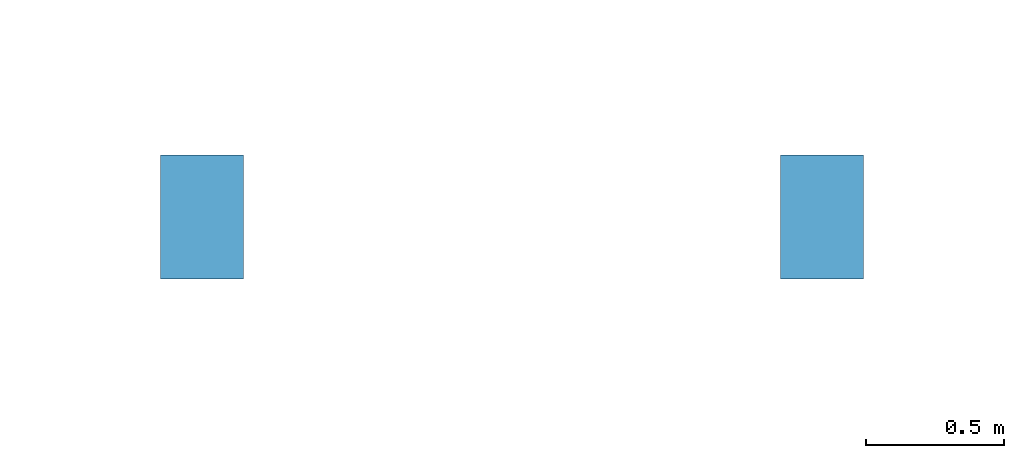
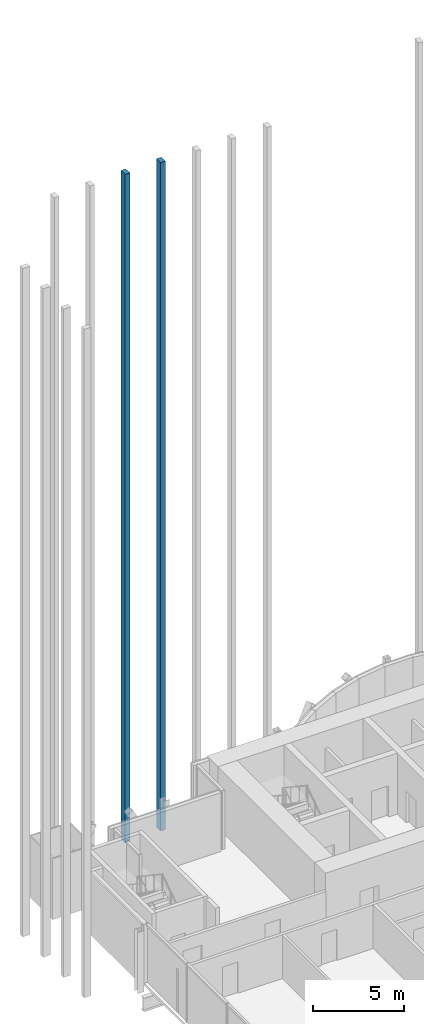
# One storey, part 17 of 33: 2 members, 1 element without a shape of its own.
"""IFC4 building model written with IfcOpenShell, lengths in metres."""

from ifc_helpers import new_model, si_unit, direction, frame, origin, origin_2d, place, context, subcontext, project, spatial, rectangle, extrude, material, material_profile, profile_set, type_object, element, aggregate, save


model = new_model("IFC4")

# Units and contexts
model_context = context("Model", 3, precision=1e-05, world=origin(), true_north=direction((0.0, 1.0)))
body_context = subcontext(model_context, "Body", "Model", "MODEL_VIEW")
ifc_project = project(units=[si_unit("LENGTHUNIT", "METRE"), si_unit("AREAUNIT", "SQUARE_METRE"), si_unit("VOLUMEUNIT", "CUBIC_METRE"), si_unit("PLANEANGLEUNIT", "RADIAN"), si_unit("MASSUNIT", "GRAM", prefix="KILO")], contexts=[model_context])

# Site, building, storey
site_placement = place(None, origin())
site = spatial("IfcSite", under=ifc_project, at=site_placement, CompositionType="ELEMENT")
building_placement = place(site_placement, origin())
building = spatial("IfcBuilding", under=site, at=building_placement, Name="Bicima Exchange Tower", CompositionType="ELEMENT")
storey_placement = place(building_placement, frame((0.0, 0.0, 140.39990234375)))
storey = spatial("IfcBuildingStorey", under=building, at=storey_placement, Name="L30", CompositionType="ELEMENT", Elevation=140.39990234375)

# Curtain wall, members
ifc_material = material(Name="Anodised bronze aluminium", Category="aluminium")
curtain_wall_type = type_object("IfcCurtainWallType", Name="Rear blade screen", PredefinedType="NOTDEFINED", material=ifc_material)
curtain_wall_placement = place(storey_placement, origin())
curtain_wall = element("IfcCurtainWall", 1, at=curtain_wall_placement, inside=storey, type_object=curtain_wall_type, Name="Rear blade screen L30-L40 W", PredefinedType="NOTDEFINED")
ifc_material_profile = material_profile(ifc_material, rectangle(XDim=0.449951171875, YDim=0.300048828125, at=origin_2d()))
ifc_profile_set = profile_set([ifc_material_profile], Name="Anodised bronze aluminium")
member_type = type_object("IfcMemberType", Name="Rear blade fin 450 x 300", PredefinedType="USERDEFINED", material=ifc_profile_set)
member_1_placement = place(storey_placement, frame((-27.0, 0.324951171875, 0.0), z_axis=(0.0, 0.0, 1.0), x_axis=(0.0, 1.0, 0.0)))
member_1 = element("IfcMember", 2, at=member_1_placement, type_object=member_type, Name="Rear blade fin L30-L40 4", ObjectType="FIN", PredefinedType="USERDEFINED", context=body_context, shape_type="SweptSolid", body=[
    extrude(rectangle(XDim=0.449951171875, YDim=0.300048828125, at=origin_2d()), origin(), (0.0, 0.0, 1.0), 44.900146484375),
])
member_2_placement = place(storey_placement, frame((-24.75, 0.324951171875, 0.0), z_axis=(0.0, 0.0, 1.0), x_axis=(0.0, 1.0, 0.0)))
member_2 = element("IfcMember", 3, at=member_2_placement, type_object=member_type, Name="Rear blade fin L30-L40 5", ObjectType="FIN", PredefinedType="USERDEFINED", context=body_context, shape_type="SweptSolid", body=[
    extrude(rectangle(XDim=0.449951171875, YDim=0.300048828125, at=origin_2d()), origin(), (0.0, 0.0, 1.0), 44.900146484375),
])
aggregate(curtain_wall, [member_1, member_2])

save(model, "model.ifc")
